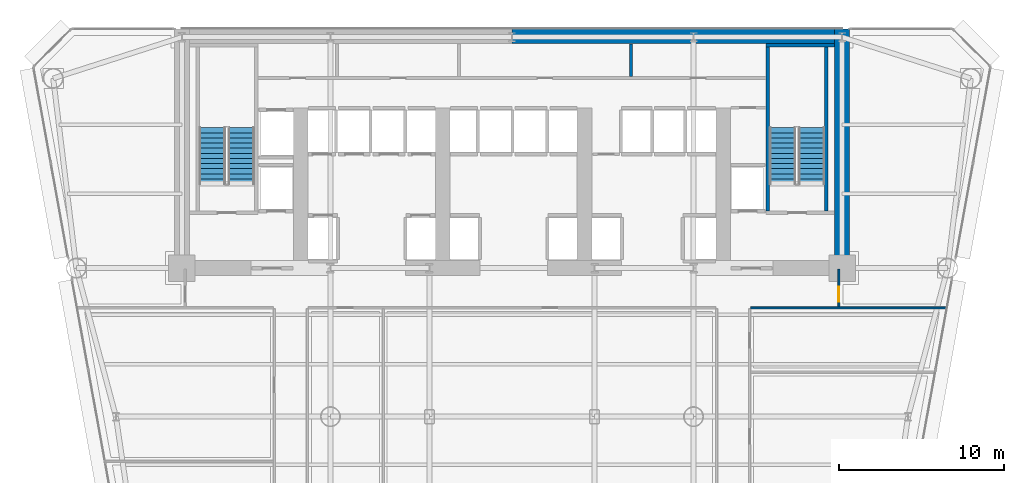
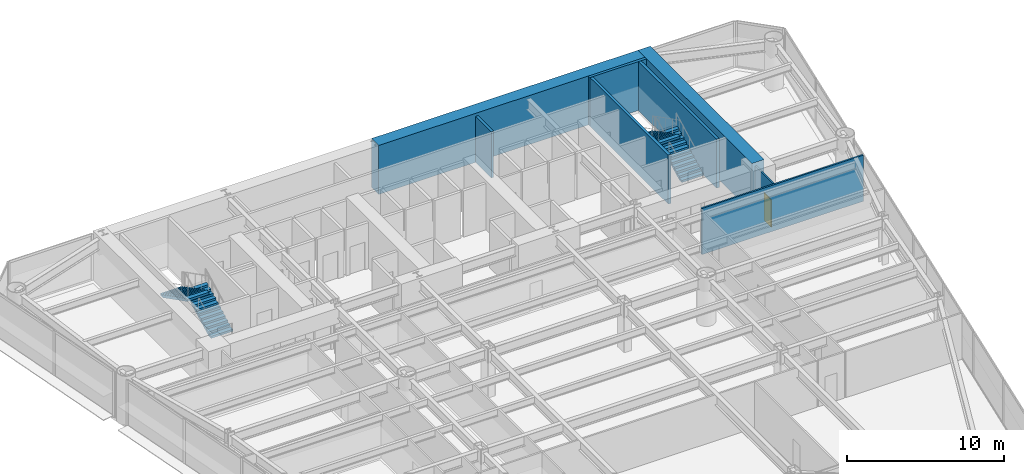
# One storey, part 10 of 14: 8 walls, 4 stair flights, 1 door, 1 opening, 2 elements without a shape of their own.
"""IFC4 building model written with IfcOpenShell, lengths in metres."""

from ifc_helpers import new_model, si_unit, direction, frame, frame_2d, origin, place, context, subcontext, project, spatial, polyline, rectangle, outline, extrude, source, transform, mapped, material, layer, layer_set, type_object, element, fill, aggregate, save


model = new_model("IFC4")

# Units and contexts
model_context = context("Model", 3, precision=1e-05, world=origin(), true_north=direction((0.0, 1.0)))
body_context = subcontext(model_context, "Body", "Model", "MODEL_VIEW")
ifc_project = project(units=[si_unit("LENGTHUNIT", "METRE"), si_unit("AREAUNIT", "SQUARE_METRE"), si_unit("VOLUMEUNIT", "CUBIC_METRE"), si_unit("PLANEANGLEUNIT", "RADIAN"), si_unit("MASSUNIT", "GRAM", prefix="KILO")], contexts=[model_context])

# Site, building, storey
site_placement = place(None, origin())
site = spatial("IfcSite", under=ifc_project, at=site_placement, CompositionType="ELEMENT")
building_placement = place(site_placement, origin())
building = spatial("IfcBuilding", under=site, at=building_placement, Name="Vaeldorn Concourse Tower", CompositionType="ELEMENT")
storey_placement = place(building_placement, frame((0.0, 0.0, 22.60009765625)))
storey = spatial("IfcBuildingStorey", under=building, at=storey_placement, Name="L05", CompositionType="ELEMENT", Elevation=22.60009765625)

# Walls
ifc_material_1 = material(Name="Concrete C60/75", Category="concrete")
ifc_layer_1 = layer(ifc_material_1, 0.89990234375)
ifc_layer_set_1 = layer_set([ifc_layer_1], Name="Concrete C60/75")
wall_type_1 = type_object("IfcWallType", Name="WL-CORE-900", PredefinedType="SHEAR", material=ifc_layer_set_1)
wall_1_placement = place(storey_placement, frame((34.001953125, 50.550048828125, 0.0), z_axis=(0.0, 0.0, 1.0), x_axis=(1.0, 0.0, 0.0)))
element("IfcWall", 1, at=wall_1_placement, inside=storey, type_object=wall_type_1, Name="Rear Core Shear Wall L05 N2", PredefinedType="SHEAR", context=body_context, shape_type="SweptSolid", body=[
    extrude(rectangle(XDim=19.5439453125, YDim=0.89990234375, at=frame_2d((9.77197265625, 0.0))), origin(), (0.0, 0.0, 1.0), 3.7998046875),
])
wall_2_placement = place(storey_placement, frame((54.0, 36.5, 0.0), z_axis=(0.0, 0.0, 1.0), x_axis=(0.0, 1.0, 0.0)))
element("IfcWall", 2, at=wall_2_placement, inside=storey, type_object=wall_type_1, Name="Rear Core Shear Wall L05 E1", PredefinedType="SHEAR", context=body_context, shape_type="SweptSolid", body=[
    extrude(rectangle(XDim=14.5, YDim=0.89990234375, at=frame_2d((7.25, 0.0))), origin(), (0.0, 0.0, 1.0), 3.7998046875),
])
ifc_material_2 = material(Name="Gypsum Board Partition", Category="gypsum")
ifc_layer_2 = layer(ifc_material_2, 0.1201171875)
ifc_layer_set_2 = layer_set([ifc_layer_2], Name="Gypsum Board Partition")
wall_type_2 = type_object("IfcWallType", Name="WL-PART-120", PredefinedType="PARTITIONING", material=ifc_layer_set_2)
wall_3_placement = place(storey_placement, frame((48.4599609375, 34.10009765625, 0.0), z_axis=(0.0, 0.0, 1.0), x_axis=(1.0, 0.0, 0.0)))
element("IfcWall", 3, at=wall_3_placement, inside=storey, type_object=wall_type_2, Name="Interior Wall PW-L05-CEWE", PredefinedType="PARTITIONING", context=body_context, shape_type="SweptSolid", body=[
    extrude(rectangle(XDim=11.85107421875, YDim=0.1201171875, at=frame_2d((5.925537109375, 0.0))), origin(), (0.0, 0.0, 1.0), 3.579833984375),
])

# Wall, opening, door
wall_4_placement = place(storey_placement, frame((53.800048828125, 34.159912109375, 0.0), z_axis=(0.0, 0.0, 1.0), x_axis=(0.0, 1.0, 0.0)))
wall_4 = element("IfcWall", 4, at=wall_4_placement, inside=storey, type_object=wall_type_2, Name="Interior Wall PW-L05-CEET", PredefinedType="PARTITIONING", context=body_context, shape_type="SweptSolid", body=[
    extrude(rectangle(XDim=2.280029296875, YDim=0.1201171875, at=frame_2d((1.14013671875, 0.0))), origin(), (0.0, 0.0, 1.0), 3.579833984375),
])
opening_placement = place(wall_4_placement, frame((0.300048828125, 0.0, 0.0)))
opening = element("IfcOpeningElement", 5, at=opening_placement, cuts=wall_4, Name="Opening D-03", PredefinedType="OPENING", context=body_context, shape_type="SweptSolid", body=[
    extrude(rectangle(XDim=0.89990234375, YDim=2.14990234375, at=frame_2d((0.449951171875, 1.074951171875))), frame((0.0, 0.070068359375, 0.0), z_axis=(0.0, -1.0, 0.0), x_axis=(1.0, 0.0, 0.0)), (0.0, 0.0, 1.0), 0.14013671875),
])
ifc_material_3 = material(Name="Acoustic Bronze-Framed Glass Door", Category="glass")
door_type = type_object("IfcDoorType", Name="DR-INT-900", OperationType="NOTDEFINED", PredefinedType="DOOR", material=ifc_material_3)
shared_shape = source(origin(), body_context, "Body", "SweptSolid", [
    extrude(rectangle(XDim=0.89990234375, YDim=2.14990234375, at=frame_2d((0.449951171875, 1.074951171875))), frame((0.0, 0.02490234375, 0.0), z_axis=(0.0, -1.0, 0.0), x_axis=(1.0, 0.0, 0.0)), (0.0, 0.0, 1.0), 0.050048828125),
])
door_placement = place(opening_placement, origin())
door = element("IfcDoor", 6, at=door_placement, inside=storey, type_object=door_type, Name="Interior Door DR-L05-NE1", OperationType="SINGLE_SWING_RIGHT", OverallHeight=2.14990234375, OverallWidth=0.89990234375, PredefinedType="DOOR", context=body_context, shape_type="MappedRepresentation", body=[
    mapped(shared_shape, transform((0.0, 0.0, 0.0), scale=1.0)),
])
fill(opening, door)

# Walls
ifc_layer_3 = layer(ifc_material_2, 0.179931640625)
ifc_layer_set_3 = layer_set([ifc_layer_3], Name="Gypsum Board Partition")
wall_type_3 = type_object("IfcWallType", Name="WL-PLUMB-180", PredefinedType="PLUMBINGWALL", material=ifc_layer_set_3)
wall_5_placement = place(storey_placement, frame((41.199951171875, 48.10009765625, 0.0), z_axis=(0.0, 0.0, 1.0), x_axis=(0.0, 1.0, 0.0)))
element("IfcWall", 7, at=wall_5_placement, inside=storey, type_object=wall_type_3, Name="Interior Wall CW-L05-NDIV3", PredefinedType="PLUMBINGWALL", context=body_context, shape_type="SweptSolid", body=[
    extrude(rectangle(XDim=1.97998046875, YDim=0.179931640625, at=frame_2d((0.989990234375, 0.0))), origin(), (0.0, 0.0, 1.0), 3.579833984375),
])
ifc_material_4 = material(Name="Concrete C50/60", Category="concrete")
ifc_layer_4 = layer(ifc_material_4, 0.199951171875)
ifc_layer_set_4 = layer_set([ifc_layer_4], Name="Concrete C50/60")
wall_type_4 = type_object("IfcWallType", Name="WL-SHAFT-200", PredefinedType="SOLIDWALL", material=ifc_layer_set_4)
wall_6_placement = place(storey_placement, frame((49.39990234375, 50.0, 0.0), z_axis=(0.0, 0.0, 1.0), x_axis=(1.0, 0.0, 0.0)))
element("IfcWall", 8, at=wall_6_placement, inside=storey, type_object=wall_type_4, Name="Stair Shaft Wall CW-L05-ST-2-N", PredefinedType="SOLIDWALL", context=body_context, shape_type="SweptSolid", body=[
    extrude(rectangle(XDim=4.150146484375, YDim=0.199951171875, at=frame_2d((2.0751953125, 0.0))), origin(), (0.0, 0.0, 1.0), 3.7998046875),
])
for number, where, z_axis, x_axis, name in (
    (9, (49.5, 39.9599609375, 0.0), (0.0, 0.0, 1.0), (0.0, 1.0, 0.0), "Stair Shaft Wall CW-L05-ST-2-W"),
    (10, (53.050048828125, 39.9599609375, 0.0), (0.0, 0.0, 1.0), (0.0, 1.0, 0.0), "Stair Shaft Wall CW-L05-ST-2-E"),
):
    element("IfcWall", number, at=place(storey_placement, frame(where, z_axis=z_axis, x_axis=x_axis)), inside=storey, type_object=wall_type_4, Name=name, PredefinedType="SOLIDWALL", context=body_context, shape_type="SweptSolid", body=[
        extrude(rectangle(XDim=9.929931640625, YDim=0.199951171875, at=frame_2d((4.96484375, 0.0))), origin(), (0.0, 0.0, 1.0), 3.7998046875),
    ])

# Stair, stair flights
ifc_material_5 = material(Name="Precast concrete C40/50", Category="concrete")
stair_type = type_object("IfcStairType", Name="STR-DOG-24x158", PredefinedType="HALF_TURN_STAIR", material=ifc_material_5)
stair_1_placement = place(storey_placement, origin())
stair_1 = element("IfcStair", 11, at=stair_1_placement, inside=storey, type_object=stair_type, Name="L05 West Core Exit Stair ST-1", PredefinedType="HALF_TURN_STAIR")
stair_flight_type = type_object("IfcStairFlightType", Name="STF-STR-12x158", PredefinedType="STRAIGHT", material=ifc_material_5)
stair_flight_1_placement = place(storey_placement, frame((17.60009765625, 41.60009765625, 0.0), z_axis=(0.0, 0.0, 1.0), x_axis=(0.0, 1.0, 0.0)))
stair_flight_1 = element("IfcStairFlight", 12, at=stair_flight_1_placement, type_object=stair_flight_type, Name="ST-1 flight 1", NumberOfRisers=12, NumberOfTreads=11, PredefinedType="STRAIGHT", RiserHeight=0.158333333, TreadLength=0.31, context=body_context, shape_type="SweptSolid", body=[
    extrude(outline(polyline([(0.0, 0.0), (0.0, 0.158447265625), (0.31005859375, 0.158447265625), (0.31005859375, 0.316650390625), (0.6201171875, 0.316650390625), (0.6201171875, 0.47509765625), (0.929931640625, 0.47509765625), (0.929931640625, 0.63330078125), (1.239990234375, 0.63330078125), (1.239990234375, 0.791748046875), (1.550048828125, 0.791748046875), (1.550048828125, 0.949951171875), (1.860107421875, 0.949951171875), (1.860107421875, 1.1083984375), (2.169921875, 1.1083984375), (2.169921875, 1.2666015625), (2.47998046875, 1.2666015625), (2.47998046875, 1.425048828125), (2.7900390625, 1.425048828125), (2.7900390625, 1.583251953125), (3.10009765625, 1.583251953125), (3.10009765625, 1.74169921875), (3.409912109375, 1.74169921875), (3.409912109375, 1.89990234375), (3.409912109375, 1.5732421875), (0.32958984375, 0.0), (0.0, 0.0)])), frame((0.0, 0.800048828125, 0.0), z_axis=(0.0, -1.0, 0.0), x_axis=(1.0, 0.0, 0.0)), (0.0, 0.0, 1.0), 1.60009765625),
])
stair_flight_2_placement = place(storey_placement, frame((15.85009765625, 45.010009765625, 1.89990234375), z_axis=(0.0, 0.0, 1.0), x_axis=(0.0, -1.0, 0.0)))
stair_flight_2 = element("IfcStairFlight", 13, at=stair_flight_2_placement, type_object=stair_flight_type, Name="ST-1 flight 2", NumberOfRisers=12, NumberOfTreads=11, PredefinedType="STRAIGHT", RiserHeight=0.158333333, TreadLength=0.31, context=body_context, shape_type="SweptSolid", body=[
    extrude(outline(polyline([(0.0, 0.0), (0.0, 0.158447265625), (0.31005859375, 0.158447265625), (0.31005859375, 0.316650390625), (0.6201171875, 0.316650390625), (0.6201171875, 0.47509765625), (0.929931640625, 0.47509765625), (0.929931640625, 0.63330078125), (1.239990234375, 0.63330078125), (1.239990234375, 0.791748046875), (1.550048828125, 0.791748046875), (1.550048828125, 0.949951171875), (1.860107421875, 0.949951171875), (1.860107421875, 1.1083984375), (2.169921875, 1.1083984375), (2.169921875, 1.2666015625), (2.47998046875, 1.2666015625), (2.47998046875, 1.425048828125), (2.7900390625, 1.425048828125), (2.7900390625, 1.583251953125), (3.10009765625, 1.583251953125), (3.10009765625, 1.74169921875), (3.409912109375, 1.74169921875), (3.409912109375, 1.89990234375), (3.409912109375, 1.5732421875), (0.32958984375, 0.0), (0.0, 0.0)])), frame((0.0, 0.800048828125, 0.0), z_axis=(0.0, -1.0, 0.0), x_axis=(1.0, 0.0, 0.0)), (0.0, 0.0, 1.0), 1.60009765625),
])
aggregate(stair_1, [stair_flight_1, stair_flight_2])

stair_2_placement = place(storey_placement, origin())
stair_2 = element("IfcStair", 14, at=stair_2_placement, inside=storey, type_object=stair_type, Name="L05 East Core Exit Stair ST-2", PredefinedType="HALF_TURN_STAIR")
stair_flight_3_placement = place(storey_placement, frame((52.14990234375, 41.60009765625, 0.0), z_axis=(0.0, 0.0, 1.0), x_axis=(0.0, 1.0, 0.0)))
stair_flight_3 = element("IfcStairFlight", 15, at=stair_flight_3_placement, type_object=stair_flight_type, Name="ST-2 flight 1", NumberOfRisers=12, NumberOfTreads=11, PredefinedType="STRAIGHT", RiserHeight=0.158333333, TreadLength=0.31, context=body_context, shape_type="SweptSolid", body=[
    extrude(outline(polyline([(0.0, 0.0), (0.0, 0.158447265625), (0.31005859375, 0.158447265625), (0.31005859375, 0.316650390625), (0.6201171875, 0.316650390625), (0.6201171875, 0.47509765625), (0.929931640625, 0.47509765625), (0.929931640625, 0.63330078125), (1.239990234375, 0.63330078125), (1.239990234375, 0.791748046875), (1.550048828125, 0.791748046875), (1.550048828125, 0.949951171875), (1.860107421875, 0.949951171875), (1.860107421875, 1.1083984375), (2.169921875, 1.1083984375), (2.169921875, 1.2666015625), (2.47998046875, 1.2666015625), (2.47998046875, 1.425048828125), (2.7900390625, 1.425048828125), (2.7900390625, 1.583251953125), (3.10009765625, 1.583251953125), (3.10009765625, 1.74169921875), (3.409912109375, 1.74169921875), (3.409912109375, 1.89990234375), (3.409912109375, 1.5732421875), (0.32958984375, 0.0), (0.0, 0.0)])), frame((0.0, 0.800048828125, 0.0), z_axis=(0.0, -1.0, 0.0), x_axis=(1.0, 0.0, 0.0)), (0.0, 0.0, 1.0), 1.60009765625),
])
stair_flight_4_placement = place(storey_placement, frame((50.39990234375, 45.010009765625, 1.89990234375), z_axis=(0.0, 0.0, 1.0), x_axis=(0.0, -1.0, 0.0)))
stair_flight_4 = element("IfcStairFlight", 16, at=stair_flight_4_placement, type_object=stair_flight_type, Name="ST-2 flight 2", NumberOfRisers=12, NumberOfTreads=11, PredefinedType="STRAIGHT", RiserHeight=0.158333333, TreadLength=0.31, context=body_context, shape_type="SweptSolid", body=[
    extrude(outline(polyline([(0.0, 0.0), (0.0, 0.158447265625), (0.31005859375, 0.158447265625), (0.31005859375, 0.316650390625), (0.6201171875, 0.316650390625), (0.6201171875, 0.47509765625), (0.929931640625, 0.47509765625), (0.929931640625, 0.63330078125), (1.239990234375, 0.63330078125), (1.239990234375, 0.791748046875), (1.550048828125, 0.791748046875), (1.550048828125, 0.949951171875), (1.860107421875, 0.949951171875), (1.860107421875, 1.1083984375), (2.169921875, 1.1083984375), (2.169921875, 1.2666015625), (2.47998046875, 1.2666015625), (2.47998046875, 1.425048828125), (2.7900390625, 1.425048828125), (2.7900390625, 1.583251953125), (3.10009765625, 1.583251953125), (3.10009765625, 1.74169921875), (3.409912109375, 1.74169921875), (3.409912109375, 1.89990234375), (3.409912109375, 1.5732421875), (0.32958984375, 0.0), (0.0, 0.0)])), frame((0.0, 0.800048828125, 0.0), z_axis=(0.0, -1.0, 0.0), x_axis=(1.0, 0.0, 0.0)), (0.0, 0.0, 1.0), 1.60009765625),
])
aggregate(stair_2, [stair_flight_3, stair_flight_4])

save(model, "model.ifc")
